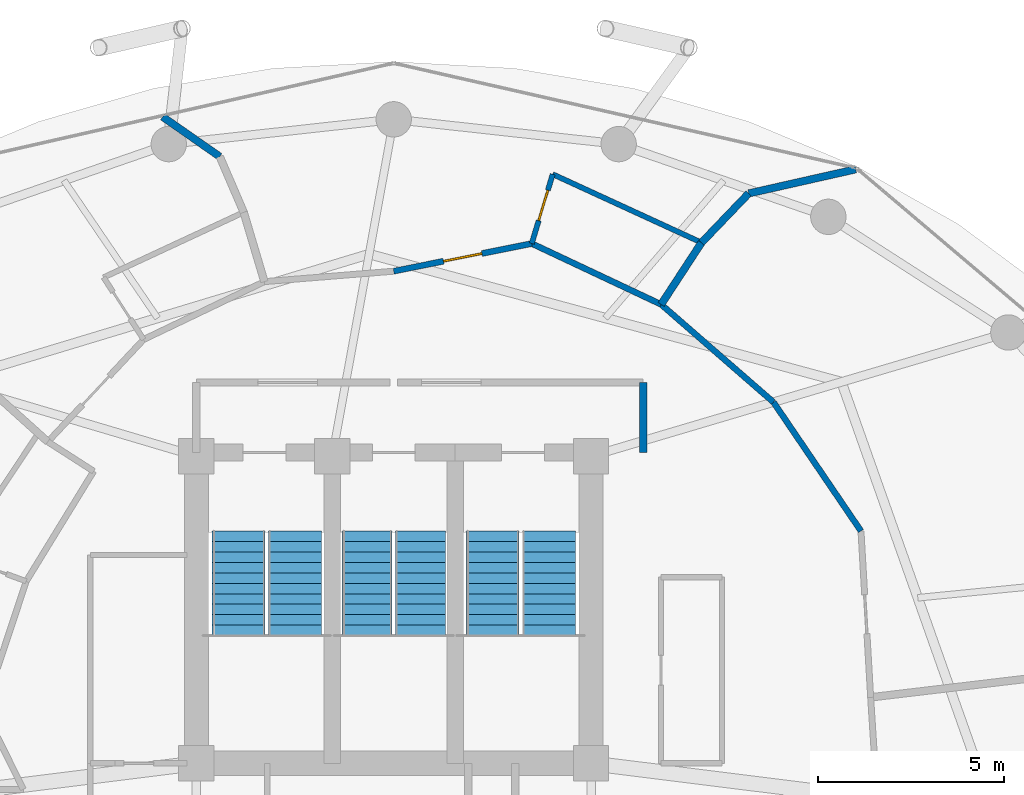
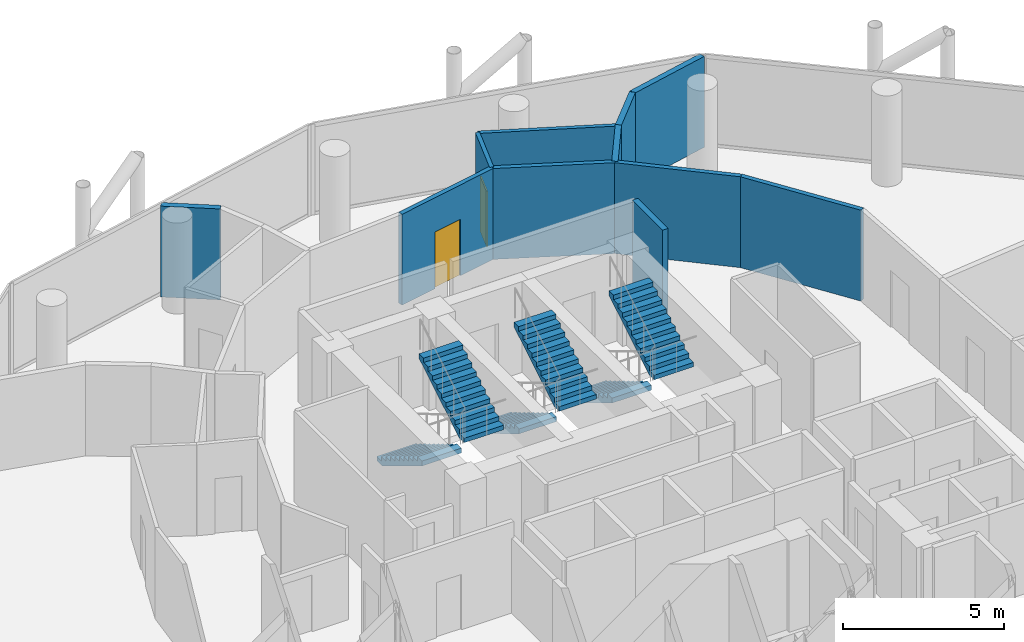
# One storey, part 25 of 26: 11 walls, 6 stair flights, 2 doors, 2 openings, 3 elements without a shape of their own.
"""IFC4 building model written with IfcOpenShell, lengths in metres."""

from ifc_helpers import new_model, si_unit, direction, frame, frame_2d, origin, place, context, subcontext, project, spatial, polyline, rectangle, outline, extrude, material, layer, layer_set, type_object, element, fill, aggregate, save


model = new_model("IFC4")

# Units and contexts
model_context = context("Model", 3, precision=1e-05, world=origin(), true_north=direction((0.0, 1.0)))
body_context = subcontext(model_context, "Body", "Model", "MODEL_VIEW")
ifc_project = project(units=[si_unit("LENGTHUNIT", "METRE"), si_unit("AREAUNIT", "SQUARE_METRE"), si_unit("VOLUMEUNIT", "CUBIC_METRE"), si_unit("PLANEANGLEUNIT", "RADIAN"), si_unit("MASSUNIT", "GRAM", prefix="KILO")], contexts=[model_context])

# Site, building, storey
site_placement = place(None, origin())
site = spatial("IfcSite", under=ifc_project, at=site_placement, CompositionType="ELEMENT")
building_placement = place(site_placement, origin())
building = spatial("IfcBuilding", under=site, at=building_placement, Name="Nuhasar Tower", CompositionType="ELEMENT")
storey_placement = place(building_placement, frame((0.0, 0.0, 121.949951171875)))
storey = spatial("IfcBuildingStorey", under=building, at=storey_placement, Name="L28", CompositionType="ELEMENT", Elevation=121.949951171875)

# Walls
ifc_material_1 = material(Name="Gypsum Board", Category="gypsum")
ifc_layer_1 = layer(ifc_material_1, 0.159912109375)
ifc_layer_set_1 = layer_set([ifc_layer_1], Name="Gypsum Board")
wall_type_1 = type_object("IfcWallType", Name="WL-CORR-160", PredefinedType="PARTITIONING", material=ifc_layer_set_1)
wall_1_placement = place(storey_placement, frame((51.552001953125, 35.291015625, 0.0), z_axis=(0.0, 0.0, 1.0), x_axis=(-0.561923717395, 0.827189056884, 0.0)))
element("IfcWall", 1, at=wall_1_placement, inside=storey, type_object=wall_type_1, Name="L28 Interior Partition CORR-04", PredefinedType="PARTITIONING", context=body_context, shape_type="SweptSolid", body=[
    extrude(rectangle(XDim=4.18408203125, YDim=0.159912109375, at=frame_2d((2.092041015625, 0.0))), origin(), (0.0, 0.0, 1.0), 3.449951171875),
])
wall_2_placement = place(storey_placement, frame((49.200927734375, 38.751953125, 0.0), z_axis=(0.0, 0.0, 1.0), x_axis=(-0.754279528435, 0.656553419749, 0.0)))
element("IfcWall", 2, at=wall_2_placement, inside=storey, type_object=wall_type_1, Name="L28 Interior Partition CORR-06", PredefinedType="PARTITIONING", context=body_context, shape_type="SweptSolid", body=[
    extrude(rectangle(XDim=3.999755859375, YDim=0.159912109375, at=frame_2d((2.0, 0.0))), origin(), (0.0, 0.0, 1.0), 3.449951171875),
])
wall_3_placement = place(storey_placement, frame((46.18408203125, 41.3779296875, 0.0), z_axis=(0.0, 0.0, 1.0), x_axis=(-0.904799978896, 0.425836821083, 0.0)))
element("IfcWall", 3, at=wall_3_placement, inside=storey, type_object=wall_type_1, Name="L28 Interior Partition CORR-08", PredefinedType="PARTITIONING", context=body_context, shape_type="SweptSolid", body=[
    extrude(rectangle(XDim=3.841796875, YDim=0.159912109375, at=frame_2d((1.9208984375, 0.0))), origin(), (0.0, 0.0, 1.0), 3.449951171875),
])

# Wall, opening, door
wall_4_placement = place(storey_placement, frame((39.0, 42.27001953125, 0.0), z_axis=(0.0, 0.0, 1.0), x_axis=(0.980463806225, 0.196699579771, 0.0)))
wall_4 = element("IfcWall", 4, at=wall_4_placement, inside=storey, type_object=wall_type_1, Name="L28 Interior Partition CORR-10", PredefinedType="PARTITIONING", context=body_context, shape_type="SweptSolid", body=[
    extrude(rectangle(XDim=3.781982421875, YDim=0.159912109375, at=frame_2d((1.89111328125, 0.0))), origin(), (0.0, 0.0, 1.0), 3.449951171875),
])
opening_1_placement = place(wall_4_placement, frame((1.365966796875, 0.0, 0.0)))
opening_1 = element("IfcOpeningElement", 5, at=opening_1_placement, cuts=wall_4, Name="Opening DU-01", PredefinedType="OPENING", context=body_context, shape_type="SweptSolid", body=[
    extrude(rectangle(XDim=1.050048828125, YDim=2.14990234375, at=frame_2d((0.52490234375, 1.074951171875))), frame((0.0, 0.08984375, 0.0), z_axis=(0.0, -1.0, 0.0), x_axis=(1.0, 0.0, 0.0)), (0.0, 0.0, 1.0), 0.179931640625),
])
ifc_material_2 = material(Name="Timber Oak", Category="wood")
door_type_1 = type_object("IfcDoorType", Name="DR-SUITE-FD60-1050", OperationType="NOTDEFINED", PredefinedType="DOOR", material=ifc_material_2)
door_1_placement = place(opening_1_placement, origin())
door_1 = element("IfcDoor", 6, at=door_1_placement, inside=storey, type_object=door_type_1, Name="L28 Deluxe Junior Suite 05 Entrance Door", OperationType="SINGLE_SWING_RIGHT", OverallHeight=2.14990234375, OverallWidth=1.050048828125, PredefinedType="DOOR", context=body_context, shape_type="SweptSolid", body=[
    extrude(rectangle(XDim=1.050048828125, YDim=2.14990234375, at=frame_2d((0.52490234375, 1.074951171875))), frame((0.0, 0.02490234375, 0.0), z_axis=(0.0, -1.0, 0.0), x_axis=(1.0, 0.0, 0.0)), (0.0, 0.0, 1.0), 0.050048828125),
])
fill(opening_1, door_1)

# Walls
ifc_material_3 = material(Name="Concrete C45/55", Category="concrete")
ifc_layer_2 = layer(ifc_material_3, 0.199951171875)
ifc_layer_set_2 = layer_set([ifc_layer_2], Name="Concrete C45/55")
wall_type_2 = type_object("IfcWallType", Name="WL-LOBBY-200", PredefinedType="SOLIDWALL", material=ifc_layer_set_2)
wall_5_placement = place(storey_placement, frame((45.699951171875, 37.39990234375, 0.0), z_axis=(0.0, 0.0, 1.0), x_axis=(0.0, 1.0, 0.0)))
element("IfcWall", 7, at=wall_5_placement, inside=storey, type_object=wall_type_2, Name="L28 Interior Partition NSL-E", PredefinedType="SOLIDWALL", context=body_context, shape_type="SweptSolid", body=[
    extrude(rectangle(XDim=1.880126953125, YDim=0.199951171875, at=frame_2d((0.93994140625, 0.0))), origin(), (0.0, 0.0, 1.0), 3.449951171875),
])
ifc_material_4 = material(Name="Concrete C40/50 precast", Category="concrete")
ifc_layer_3 = layer(ifc_material_4, 0.199951171875)
ifc_layer_set_3 = layer_set([ifc_layer_3], Name="Concrete C40/50 precast")
wall_type_3 = type_object("IfcWallType", Name="WL-UNIT-200", PredefinedType="PARTITIONING", material=ifc_layer_set_3)
wall_6_placement = place(storey_placement, frame((46.18408203125, 41.3779296875, 0.0), z_axis=(0.0, 0.0, 1.0), x_axis=(0.547063612758, 0.837091036624, 0.0)))
element("IfcWall", 8, at=wall_6_placement, inside=storey, type_object=wall_type_3, Name="L28 Interior Partition HRAD-08-S1", PredefinedType="PARTITIONING", context=body_context, shape_type="SweptSolid", body=[
    extrude(rectangle(XDim=1.983154296875, YDim=0.199951171875, at=frame_2d((0.99169921875, 0.0))), origin(), (0.0, 0.0, 1.0), 3.449951171875),
])
wall_7_placement = place(storey_placement, frame((47.26904296875, 43.0380859375, 0.0), z_axis=(0.0, 0.0, 1.0), x_axis=(0.69193434713, 0.721960427767, 0.0)))
element("IfcWall", 9, at=wall_7_placement, inside=storey, type_object=wall_type_3, Name="L28 Interior Partition HRAD-08-S2", PredefinedType="PARTITIONING", context=body_context, shape_type="SweptSolid", body=[
    extrude(rectangle(XDim=1.829345703125, YDim=0.199951171875, at=frame_2d((0.91455078125, 0.0))), origin(), (0.0, 0.0, 1.0), 3.449951171875),
])
wall_8_placement = place(storey_placement, frame((48.534912109375, 44.35888671875, 0.0), z_axis=(0.0, 0.0, 1.0), x_axis=(0.975494880769, 0.220022129779, 0.0)))
element("IfcWall", 10, at=wall_8_placement, inside=storey, type_object=wall_type_3, Name="L28 Interior Partition HRAD-08-S3", PredefinedType="PARTITIONING", context=body_context, shape_type="SweptSolid", body=[
    extrude(rectangle(XDim=2.950439453125, YDim=0.199951171875, at=frame_2d((1.47509765625, 0.0))), origin(), (0.0, 0.0, 1.0), 3.449951171875),
])
wall_9_placement = place(storey_placement, frame((34.325927734375, 45.34912109375, 0.0), z_axis=(0.0, 0.0, 1.0), x_axis=(-0.820611891479, 0.571485890958, 0.0)))
element("IfcWall", 11, at=wall_9_placement, inside=storey, type_object=wall_type_3, Name="L28 Interior Partition HRAD-14-S3", PredefinedType="PARTITIONING", context=body_context, shape_type="SweptSolid", body=[
    extrude(rectangle(XDim=1.866943359375, YDim=0.199951171875, at=frame_2d((0.93359375, 0.0))), origin(), (0.0, 0.0, 1.0), 3.449951171875),
])

# Wall, opening, door
ifc_layer_4 = layer(ifc_material_4, 0.139892578125)
ifc_layer_set_4 = layer_set([ifc_layer_4], Name="Concrete C40/50 precast")
wall_type_4 = type_object("IfcWallType", Name="WL-WET-140", PredefinedType="PARTITIONING", material=ifc_layer_set_4)
wall_10_placement = place(storey_placement, frame((42.7080078125, 43.013916015625, 0.0), z_axis=(0.0, 0.0, 1.0), x_axis=(0.289547352799, 0.95716369054, 0.0)))
wall_10 = element("IfcWall", 12, at=wall_10_placement, inside=storey, type_object=wall_type_4, Name="L28 Interior Partition HBW-06", PredefinedType="PARTITIONING", context=body_context, shape_type="SweptSolid", body=[
    extrude(rectangle(XDim=1.9443359375, YDim=0.139892578125, at=frame_2d((0.97216796875, 0.0))), origin(), (0.0, 0.0, 1.0), 3.449951171875),
])
opening_2_placement = place(wall_10_placement, frame((0.64404296875, 0.0, 0.0)))
opening_2 = element("IfcOpeningElement", 13, at=opening_2_placement, cuts=wall_10, Name="Opening DB-01", PredefinedType="OPENING", context=body_context, shape_type="SweptSolid", body=[
    extrude(rectangle(XDim=0.85009765625, YDim=2.10009765625, at=frame_2d((0.425048828125, 1.050048828125))), frame((0.0, 0.080078125, 0.0), z_axis=(0.0, -1.0, 0.0), x_axis=(1.0, 0.0, 0.0)), (0.0, 0.0, 1.0), 0.159912109375),
])
door_type_2 = type_object("IfcDoorType", Name="DR-BATH-850", OperationType="NOTDEFINED", PredefinedType="DOOR", material=ifc_material_2)
door_2_placement = place(opening_2_placement, origin())
door_2 = element("IfcDoor", 14, at=door_2_placement, inside=storey, type_object=door_type_2, Name="L28 Deluxe Junior Suite 05 En-Suite Door", OperationType="SINGLE_SWING_RIGHT", OverallHeight=2.10009765625, OverallWidth=0.85009765625, PredefinedType="DOOR", context=body_context, shape_type="SweptSolid", body=[
    extrude(rectangle(XDim=0.85009765625, YDim=2.10009765625, at=frame_2d((0.425048828125, 1.050048828125))), frame((0.0, 0.02490234375, 0.0), z_axis=(0.0, -1.0, 0.0), x_axis=(1.0, 0.0, 0.0)), (0.0, 0.0, 1.0), 0.050048828125),
])
fill(opening_2, door_2)

# Wall
wall_11_placement = place(storey_placement, frame((47.26904296875, 43.0380859375, 0.0), z_axis=(0.0, 0.0, 1.0), x_axis=(-0.908679119713, 0.417495218412, 0.0)))
element("IfcWall", 15, at=wall_11_placement, inside=storey, type_object=wall_type_4, Name="L28 Interior Partition HBF-06-08", PredefinedType="PARTITIONING", context=body_context, shape_type="SweptSolid", body=[
    extrude(rectangle(XDim=4.39990234375, YDim=0.139892578125, at=frame_2d((2.199951171875, 0.0))), origin(), (0.0, 0.0, 1.0), 3.449951171875),
])

# Stair, stair flights
stair_type_1 = type_object("IfcStairType", Name="STR-ST-01-2F-22R-1682", PredefinedType="HALF_TURN_STAIR", material=ifc_material_3)
stair_1_placement = place(storey_placement, origin())
stair_1 = element("IfcStair", 16, at=stair_1_placement, inside=storey, type_object=stair_type_1, Name="L28 Exit Stair ST-01", PredefinedType="HALF_TURN_STAIR")
stair_flight_type_1 = type_object("IfcStairFlightType", Name="SFL-ST-01-11R-1682", PredefinedType="STRAIGHT", material=ifc_material_3)
stair_flight_1_placement = place(storey_placement, frame((34.830078125, 35.284912109375, 0.0), z_axis=(0.0, 0.0, 1.0), x_axis=(0.0, -1.0, 0.0)))
stair_flight_1 = element("IfcStairFlight", 17, at=stair_flight_1_placement, type_object=stair_flight_type_1, Name="ST-01 flight 1", NumberOfRisers=11, NumberOfTreads=10, PredefinedType="STRAIGHT", RiserHeight=0.168182, TreadLength=0.28, context=body_context, shape_type="SweptSolid", body=[
    extrude(outline(polyline([(0.0, 0.0), (0.0, 0.168212890625), (0.280029296875, 0.168212890625), (0.280029296875, 0.33642578125), (0.56005859375, 0.33642578125), (0.56005859375, 0.504638671875), (0.840087890625, 0.504638671875), (0.840087890625, 0.672607421875), (1.1201171875, 0.672607421875), (1.1201171875, 0.8408203125), (1.39990234375, 0.8408203125), (1.39990234375, 1.009033203125), (1.679931640625, 1.009033203125), (1.679931640625, 1.17724609375), (1.9599609375, 1.17724609375), (1.9599609375, 1.345458984375), (2.239990234375, 1.345458984375), (2.239990234375, 1.513671875), (2.52001953125, 1.513671875), (2.52001953125, 1.681884765625), (2.800048828125, 1.681884765625), (2.800048828125, 1.85009765625), (2.800048828125, 1.495361328125), (0.310546875, 0.0), (0.0, 0.0)])), frame((0.0, 0.7099609375, 0.0), z_axis=(0.0, -1.0, 0.0), x_axis=(1.0, 0.0, 0.0)), (0.0, 0.0, 1.0), 1.419921875),
])
stair_flight_2_placement = place(storey_placement, frame((36.35009765625, 32.485107421875, 1.85009765625), z_axis=(0.0, 0.0, 1.0), x_axis=(0.0, 1.0, 0.0)))
stair_flight_2 = element("IfcStairFlight", 18, at=stair_flight_2_placement, type_object=stair_flight_type_1, Name="ST-01 flight 2", NumberOfRisers=11, NumberOfTreads=10, PredefinedType="STRAIGHT", RiserHeight=0.168182, TreadLength=0.28, context=body_context, shape_type="SweptSolid", body=[
    extrude(outline(polyline([(0.0, 0.0), (0.0, 0.168212890625), (0.280029296875, 0.168212890625), (0.280029296875, 0.33642578125), (0.56005859375, 0.33642578125), (0.56005859375, 0.504638671875), (0.840087890625, 0.504638671875), (0.840087890625, 0.672607421875), (1.1201171875, 0.672607421875), (1.1201171875, 0.8408203125), (1.39990234375, 0.8408203125), (1.39990234375, 1.009033203125), (1.679931640625, 1.009033203125), (1.679931640625, 1.17724609375), (1.9599609375, 1.17724609375), (1.9599609375, 1.345458984375), (2.239990234375, 1.345458984375), (2.239990234375, 1.513671875), (2.52001953125, 1.513671875), (2.52001953125, 1.681884765625), (2.800048828125, 1.681884765625), (2.800048828125, 1.85009765625), (2.800048828125, 1.495361328125), (0.310546875, 0.0), (0.0, 0.0)])), frame((0.0, 0.7099609375, 0.0), z_axis=(0.0, -1.0, 0.0), x_axis=(1.0, 0.0, 0.0)), (0.0, 0.0, 1.0), 1.419921875),
])
aggregate(stair_1, [stair_flight_1, stair_flight_2])

stair_type_2 = type_object("IfcStairType", Name="STR-ST-02-2F-22R-1682", PredefinedType="HALF_TURN_STAIR", material=ifc_material_3)
stair_2_placement = place(storey_placement, origin())
stair_2 = element("IfcStair", 19, at=stair_2_placement, inside=storey, type_object=stair_type_2, Name="L28 Exit Stair ST-02", PredefinedType="HALF_TURN_STAIR")
stair_flight_type_2 = type_object("IfcStairFlightType", Name="SFL-ST-02-11R-1682", PredefinedType="STRAIGHT", material=ifc_material_3)
stair_flight_3_placement = place(storey_placement, frame((41.64990234375, 35.284912109375, 0.0), z_axis=(0.0, 0.0, 1.0), x_axis=(0.0, -1.0, 0.0)))
stair_flight_3 = element("IfcStairFlight", 20, at=stair_flight_3_placement, type_object=stair_flight_type_2, Name="ST-02 flight 1", NumberOfRisers=11, NumberOfTreads=10, PredefinedType="STRAIGHT", RiserHeight=0.168182, TreadLength=0.28, context=body_context, shape_type="SweptSolid", body=[
    extrude(outline(polyline([(0.0, 0.0), (0.0, 0.168212890625), (0.280029296875, 0.168212890625), (0.280029296875, 0.33642578125), (0.56005859375, 0.33642578125), (0.56005859375, 0.504638671875), (0.840087890625, 0.504638671875), (0.840087890625, 0.672607421875), (1.1201171875, 0.672607421875), (1.1201171875, 0.8408203125), (1.39990234375, 0.8408203125), (1.39990234375, 1.009033203125), (1.679931640625, 1.009033203125), (1.679931640625, 1.17724609375), (1.9599609375, 1.17724609375), (1.9599609375, 1.345458984375), (2.239990234375, 1.345458984375), (2.239990234375, 1.513671875), (2.52001953125, 1.513671875), (2.52001953125, 1.681884765625), (2.800048828125, 1.681884765625), (2.800048828125, 1.85009765625), (2.800048828125, 1.495361328125), (0.310546875, 0.0), (0.0, 0.0)])), frame((0.0, 0.7099609375, 0.0), z_axis=(0.0, -1.0, 0.0), x_axis=(1.0, 0.0, 0.0)), (0.0, 0.0, 1.0), 1.419921875),
])
stair_flight_4_placement = place(storey_placement, frame((43.169921875, 32.485107421875, 1.85009765625), z_axis=(0.0, 0.0, 1.0), x_axis=(0.0, 1.0, 0.0)))
stair_flight_4 = element("IfcStairFlight", 21, at=stair_flight_4_placement, type_object=stair_flight_type_2, Name="ST-02 flight 2", NumberOfRisers=11, NumberOfTreads=10, PredefinedType="STRAIGHT", RiserHeight=0.168182, TreadLength=0.28, context=body_context, shape_type="SweptSolid", body=[
    extrude(outline(polyline([(0.0, 0.0), (0.0, 0.168212890625), (0.280029296875, 0.168212890625), (0.280029296875, 0.33642578125), (0.56005859375, 0.33642578125), (0.56005859375, 0.504638671875), (0.840087890625, 0.504638671875), (0.840087890625, 0.672607421875), (1.1201171875, 0.672607421875), (1.1201171875, 0.8408203125), (1.39990234375, 0.8408203125), (1.39990234375, 1.009033203125), (1.679931640625, 1.009033203125), (1.679931640625, 1.17724609375), (1.9599609375, 1.17724609375), (1.9599609375, 1.345458984375), (2.239990234375, 1.345458984375), (2.239990234375, 1.513671875), (2.52001953125, 1.513671875), (2.52001953125, 1.681884765625), (2.800048828125, 1.681884765625), (2.800048828125, 1.85009765625), (2.800048828125, 1.495361328125), (0.310546875, 0.0), (0.0, 0.0)])), frame((0.0, 0.7099609375, 0.0), z_axis=(0.0, -1.0, 0.0), x_axis=(1.0, 0.0, 0.0)), (0.0, 0.0, 1.0), 1.419921875),
])
aggregate(stair_2, [stair_flight_3, stair_flight_4])

stair_type_3 = type_object("IfcStairType", Name="STR-ST-03-2F-22R-1682", PredefinedType="HALF_TURN_STAIR", material=ifc_material_3)
stair_3_placement = place(storey_placement, origin())
stair_3 = element("IfcStair", 22, at=stair_3_placement, inside=storey, type_object=stair_type_3, Name="L28 Exit Stair ST-03", PredefinedType="HALF_TURN_STAIR")
stair_flight_type_3 = type_object("IfcStairFlightType", Name="SFL-ST-03-11R-1682", PredefinedType="STRAIGHT", material=ifc_material_3)
stair_flight_5_placement = place(storey_placement, frame((38.280029296875, 35.284912109375, 0.0), z_axis=(0.0, 0.0, 1.0), x_axis=(0.0, -1.0, 0.0)))
stair_flight_5 = element("IfcStairFlight", 23, at=stair_flight_5_placement, type_object=stair_flight_type_3, Name="ST-03 flight 1", NumberOfRisers=11, NumberOfTreads=10, PredefinedType="STRAIGHT", RiserHeight=0.168182, TreadLength=0.28, context=body_context, shape_type="SweptSolid", body=[
    extrude(outline(polyline([(0.0, 0.0), (0.0, 0.168212890625), (0.280029296875, 0.168212890625), (0.280029296875, 0.33642578125), (0.56005859375, 0.33642578125), (0.56005859375, 0.504638671875), (0.840087890625, 0.504638671875), (0.840087890625, 0.672607421875), (1.1201171875, 0.672607421875), (1.1201171875, 0.8408203125), (1.39990234375, 0.8408203125), (1.39990234375, 1.009033203125), (1.679931640625, 1.009033203125), (1.679931640625, 1.17724609375), (1.9599609375, 1.17724609375), (1.9599609375, 1.345458984375), (2.239990234375, 1.345458984375), (2.239990234375, 1.513671875), (2.52001953125, 1.513671875), (2.52001953125, 1.681884765625), (2.800048828125, 1.681884765625), (2.800048828125, 1.85009765625), (2.800048828125, 1.495361328125), (0.310546875, 0.0), (0.0, 0.0)])), frame((0.0, 0.669921875, 0.0), z_axis=(0.0, -1.0, 0.0), x_axis=(1.0, 0.0, 0.0)), (0.0, 0.0, 1.0), 1.340087890625),
])
stair_flight_6_placement = place(storey_placement, frame((39.719970703125, 32.485107421875, 1.85009765625), z_axis=(0.0, 0.0, 1.0), x_axis=(0.0, 1.0, 0.0)))
stair_flight_6 = element("IfcStairFlight", 24, at=stair_flight_6_placement, type_object=stair_flight_type_3, Name="ST-03 flight 2", NumberOfRisers=11, NumberOfTreads=10, PredefinedType="STRAIGHT", RiserHeight=0.168182, TreadLength=0.28, context=body_context, shape_type="SweptSolid", body=[
    extrude(outline(polyline([(0.0, 0.0), (0.0, 0.168212890625), (0.280029296875, 0.168212890625), (0.280029296875, 0.33642578125), (0.56005859375, 0.33642578125), (0.56005859375, 0.504638671875), (0.840087890625, 0.504638671875), (0.840087890625, 0.672607421875), (1.1201171875, 0.672607421875), (1.1201171875, 0.8408203125), (1.39990234375, 0.8408203125), (1.39990234375, 1.009033203125), (1.679931640625, 1.009033203125), (1.679931640625, 1.17724609375), (1.9599609375, 1.17724609375), (1.9599609375, 1.345458984375), (2.239990234375, 1.345458984375), (2.239990234375, 1.513671875), (2.52001953125, 1.513671875), (2.52001953125, 1.681884765625), (2.800048828125, 1.681884765625), (2.800048828125, 1.85009765625), (2.800048828125, 1.495361328125), (0.310546875, 0.0), (0.0, 0.0)])), frame((0.0, 0.669921875, 0.0), z_axis=(0.0, -1.0, 0.0), x_axis=(1.0, 0.0, 0.0)), (0.0, 0.0, 1.0), 1.340087890625),
])
aggregate(stair_3, [stair_flight_5, stair_flight_6])

save(model, "model.ifc")
